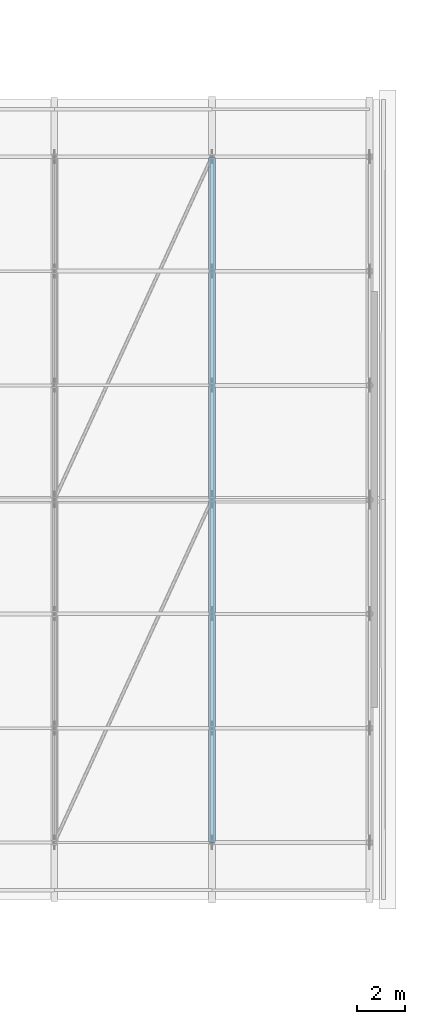
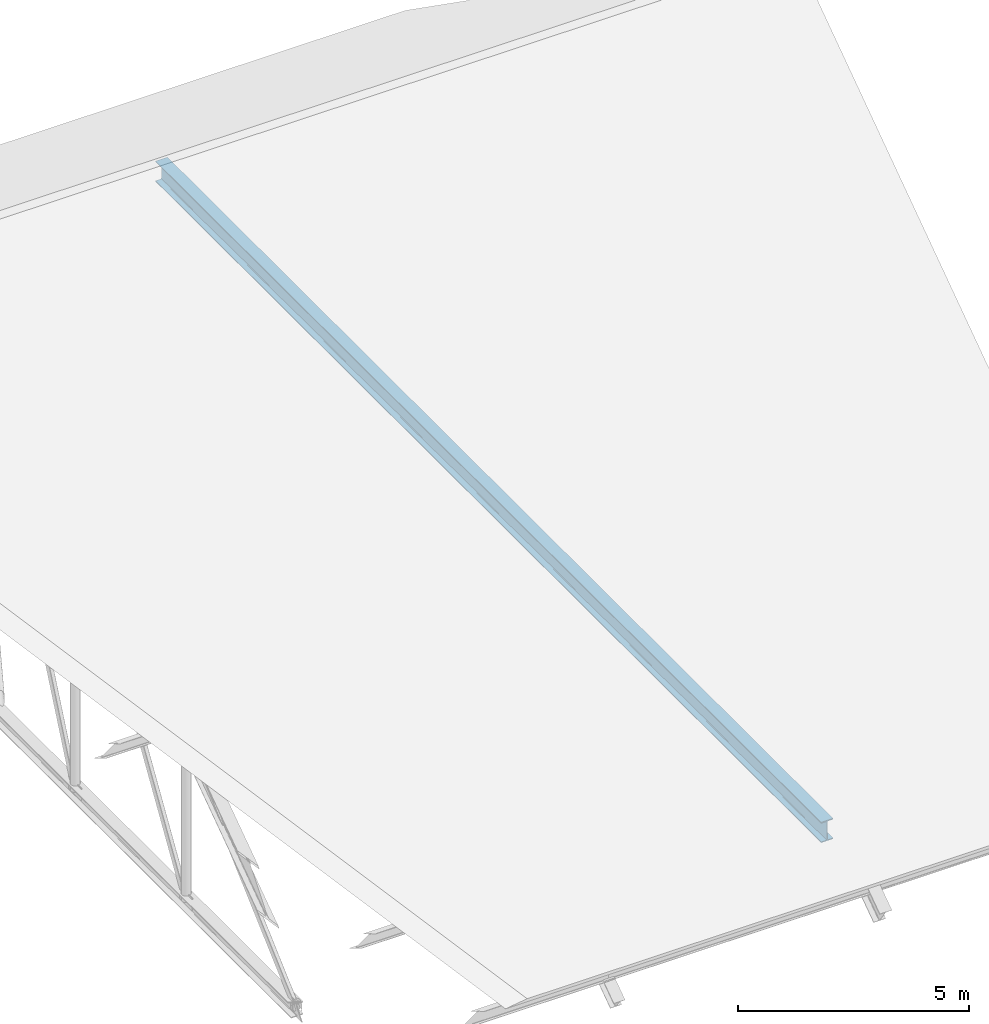
# One storey, part 78 of 134: 1 member.
"""IFC4 building model written with IfcOpenShell, lengths in metres."""

from ifc_helpers import new_model, si_unit, direction, frame, origin, origin_2d, place, context, subcontext, project, spatial, i_section, extrude, material, material_profile, profile_set, type_object, element, save


model = new_model("IFC4")

# Units and contexts
model_context = context("Model", 3, precision=1e-05, world=origin(), true_north=direction((0.0, 1.0)))
body_context = subcontext(model_context, "Body", "Model", "MODEL_VIEW")
ifc_project = project(units=[si_unit("LENGTHUNIT", "METRE"), si_unit("AREAUNIT", "SQUARE_METRE"), si_unit("VOLUMEUNIT", "CUBIC_METRE"), si_unit("PLANEANGLEUNIT", "RADIAN"), si_unit("MASSUNIT", "GRAM", prefix="KILO")], contexts=[model_context])

# Site, building, storey
site_placement = place(None, origin())
site = spatial("IfcSite", under=ifc_project, at=site_placement, CompositionType="ELEMENT")
building_placement = place(site_placement, origin())
building = spatial("IfcBuilding", under=site, at=building_placement, Name="Asteropetra Specialist Clinic", CompositionType="ELEMENT")
storey_placement = place(building_placement, frame((0.0, 0.0, 8.5)))
storey = spatial("IfcBuildingStorey", under=building, at=storey_placement, Name="L02", CompositionType="ELEMENT", Elevation=8.5)

# Member
ifc_material = material(Name="Steel S355", Category="steel")
ifc_material_profile = material_profile(ifc_material, i_section(OverallWidth=0.300048828125, OverallDepth=0.5400390625, WebThickness=0.012451171875, FlangeThickness=0.02392578125, FilletRadius=0.027099609375, at=origin_2d()), Name="HEA 550")
ifc_profile_set = profile_set([ifc_material_profile], Name="Steel S355")
member_type = type_object("IfcMemberType", Name="TR-CHD-HEA550", PredefinedType="CHORD", material=ifc_profile_set)
member_placement = place(storey_placement, frame((146.47998046875, 76.800048828125, 0.469970703125), z_axis=(0.0, 1.0, 0.0), x_axis=(-1.0, 0.0, 0.0)))
element("IfcMember", 1, at=member_placement, inside=storey, type_object=member_type, Name="Truss Bottom Chord TRV1-BC10", PredefinedType="CHORD", context=body_context, shape_type="SweptSolid", body=[
    extrude(i_section(OverallWidth=0.300048828125, OverallDepth=0.5400390625, WebThickness=0.012451171875, FlangeThickness=0.02392578125, FilletRadius=0.027099609375, at=origin_2d()), origin(), (0.0, 0.0, 1.0), 28.800048828125),
])

save(model, "model.ifc")
